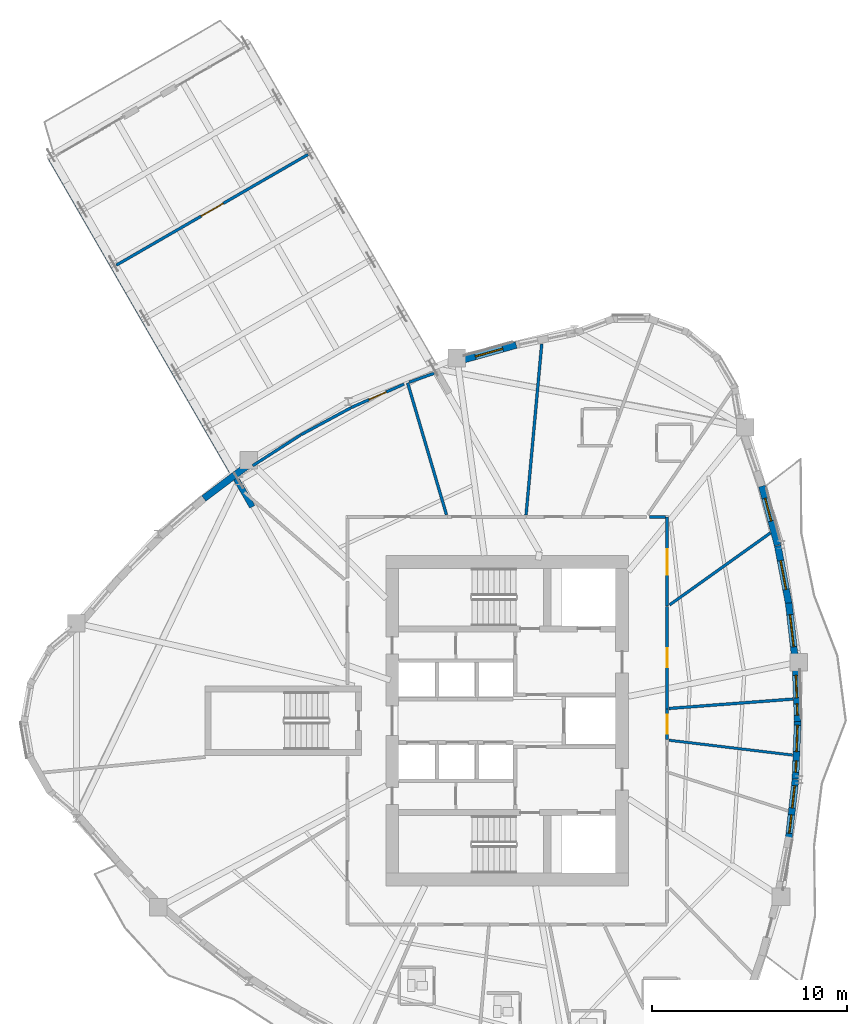
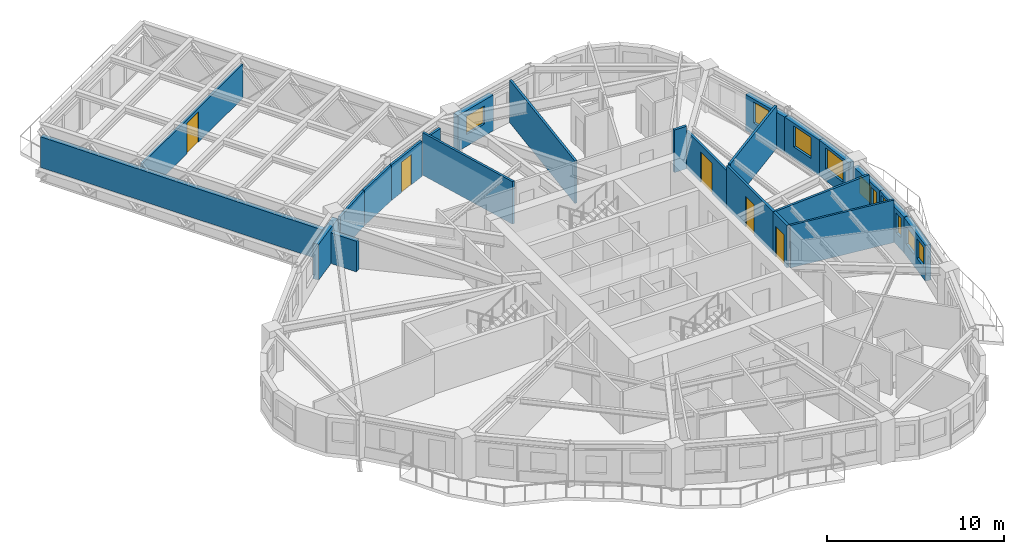
# One storey, part 10 of 16: 23 walls, 10 windows, 5 doors, 15 openings.
"""IFC4 building model written with IfcOpenShell, lengths in metres."""

from ifc_helpers import new_model, si_unit, direction, frame, frame_2d, origin, place, context, subcontext, project, spatial, rectangle, extrude, source, transform, mapped, material, layer, layer_set, type_object, element, fill, save


model = new_model("IFC4")

# Units and contexts
model_context = context("Model", 3, precision=1e-05, world=origin(), true_north=direction((0.0, 1.0)))
body_context = subcontext(model_context, "Body", "Model", "MODEL_VIEW")
ifc_project = project(units=[si_unit("LENGTHUNIT", "METRE"), si_unit("AREAUNIT", "SQUARE_METRE"), si_unit("VOLUMEUNIT", "CUBIC_METRE"), si_unit("PLANEANGLEUNIT", "RADIAN"), si_unit("MASSUNIT", "GRAM", prefix="KILO")], contexts=[model_context])

# Site, building, storey
site_placement = place(None, origin())
site = spatial("IfcSite", under=ifc_project, at=site_placement, CompositionType="ELEMENT")
building_placement = place(site_placement, origin())
building = spatial("IfcBuilding", under=site, at=building_placement, Name="Qafzar Sky-Pleat Residences", CompositionType="ELEMENT")
storey_placement = place(building_placement, frame((0.0, 0.0, 80.0)))
storey = spatial("IfcBuildingStorey", under=building, at=storey_placement, Name="L23", CompositionType="ELEMENT", Elevation=80.0)

# Wall, opening, door
ifc_material_1 = material(Name="Acoustic gypsum plasterboard partition", Category="gypsum")
ifc_layer_1 = layer(ifc_material_1, 0.159912109375)
ifc_layer_set_1 = layer_set([ifc_layer_1], Name="Acoustic gypsum plasterboard partition")
wall_type_1 = type_object("IfcWallType", Name="PART-COR-160", PredefinedType="PARTITIONING", material=ifc_layer_set_1)
wall_1_placement = place(storey_placement, frame((38.530029296875, 31.85595703125, 0.0), z_axis=(0.0, 0.0, 1.0), x_axis=(0.0, -1.0, 0.0)))
wall_1 = element("IfcWall", 1, at=wall_1_placement, inside=storey, type_object=wall_type_1, Name="L23 Partition Wall PART-L23-PW-005", PredefinedType="PARTITIONING", context=body_context, shape_type="SweptSolid", body=[
    extrude(rectangle(XDim=5.2490234375, YDim=0.159912109375, at=frame_2d((2.62451171875, 0.0))), origin(), (0.0, 0.0, 1.0), 2.93505859375),
])
opening_1_placement = place(wall_1_placement, frame((2.14599609375, 0.0, 0.0)))
opening_1 = element("IfcOpeningElement", 2, at=opening_1_placement, cuts=wall_1, Name="Opening ID-06", PredefinedType="OPENING", context=body_context, shape_type="SweptSolid", body=[
    extrude(rectangle(XDim=0.9599609375, YDim=2.10009765625, at=frame_2d((0.47998046875, 1.050048828125))), frame((0.0, 0.08984375, 0.0), z_axis=(0.0, -1.0, 0.0), x_axis=(1.0, 0.0, 0.0)), (0.0, 0.0, 1.0), 0.179931640625),
])
ifc_material_2 = material(Name="Timber-faced fire door", Category="wood")
door_type_1 = type_object("IfcDoorType", Name="DR-STD-960", OperationType="NOTDEFINED", PredefinedType="DOOR", material=ifc_material_2)
shared_shape_1 = source(origin(), body_context, "Body", "SweptSolid", [
    extrude(rectangle(XDim=0.9599609375, YDim=2.10009765625, at=frame_2d((0.47998046875, 1.050048828125))), frame((0.0, 0.02490234375, 0.0), z_axis=(0.0, -1.0, 0.0), x_axis=(1.0, 0.0, 0.0)), (0.0, 0.0, 1.0), 0.050048828125),
])
door_1_placement = place(opening_1_placement, origin())
door_1 = element("IfcDoor", 3, at=door_1_placement, inside=storey, type_object=door_type_1, Name="L23 Graduate Desk Workspace Door", OperationType="SINGLE_SWING_RIGHT", OverallHeight=2.10009765625, OverallWidth=0.9599609375, PredefinedType="DOOR", context=body_context, shape_type="MappedRepresentation", body=[
    mapped(shared_shape_1, transform((0.0, 0.0, 0.0), x_axis=(1.0, 0.0, 0.0), y_axis=(0.0, 1.0, 0.0), z_axis=(0.0, 0.0, 1.0), scale=1.0)),
])
fill(opening_1, door_1)

wall_2_placement = place(storey_placement, frame((38.530029296875, 36.429931640625, 0.0), z_axis=(0.0, 0.0, 1.0), x_axis=(0.0, -1.0, 0.0)))
wall_2 = element("IfcWall", 4, at=wall_2_placement, inside=storey, type_object=wall_type_1, Name="L23 Partition Wall PART-L23-PW-007", PredefinedType="PARTITIONING", context=body_context, shape_type="SweptSolid", body=[
    extrude(rectangle(XDim=4.558837890625, YDim=0.159912109375, at=frame_2d((2.279296875, 0.0))), origin(), (0.0, 0.0, 1.0), 2.572998046875),
])
opening_2_placement = place(wall_2_placement, frame((1.64599609375, 0.0, 0.0)))
opening_2 = element("IfcOpeningElement", 5, at=opening_2_placement, cuts=wall_2, Name="Opening ID-05", PredefinedType="OPENING", context=body_context, shape_type="SweptSolid", body=[
    extrude(rectangle(XDim=1.300048828125, YDim=2.10009765625, at=frame_2d((0.64990234375, 1.050048828125))), frame((0.0, 0.08984375, 0.0), z_axis=(0.0, -1.0, 0.0), x_axis=(1.0, 0.0, 0.0)), (0.0, 0.0, 1.0), 0.179931640625),
])
door_type_2 = type_object("IfcDoorType", Name="DR-LNG-1300", OperationType="DOUBLE_DOOR_SINGLE_SWING", PredefinedType="DOOR", material=ifc_material_2)
shared_shape_2 = source(origin(), body_context, "Body", "SweptSolid", [
    extrude(rectangle(XDim=1.300048828125, YDim=2.10009765625, at=frame_2d((0.64990234375, 1.050048828125))), frame((0.0, 0.02490234375, 0.0), z_axis=(0.0, -1.0, 0.0), x_axis=(1.0, 0.0, 0.0)), (0.0, 0.0, 1.0), 0.050048828125),
])
door_2_placement = place(opening_2_placement, origin())
door_2 = element("IfcDoor", 6, at=door_2_placement, inside=storey, type_object=door_type_2, Name="L23 Communal Kitchen Door", OperationType="DOUBLE_DOOR_SINGLE_SWING", OverallHeight=2.10009765625, OverallWidth=1.300048828125, PredefinedType="DOOR", context=body_context, shape_type="MappedRepresentation", body=[
    mapped(shared_shape_2, transform((0.0, 0.0, 0.0), x_axis=(1.0, 0.0, 0.0), y_axis=(0.0, 1.0, 0.0), z_axis=(0.0, 0.0, 1.0), scale=1.0)),
])
fill(opening_2, door_2)

wall_3_placement = place(storey_placement, frame((38.530029296875, 26.592041015625, 0.0), z_axis=(0.0, 0.0, 1.0), x_axis=(0.0, -1.0, 0.0)))
wall_3 = element("IfcWall", 7, at=wall_3_placement, inside=storey, type_object=wall_type_1, Name="L23 Partition Wall PART-L23-PW-024", PredefinedType="PARTITIONING", context=body_context, shape_type="SweptSolid", body=[
    extrude(rectangle(XDim=1.544921875, YDim=0.159912109375, at=frame_2d((0.7724609375, 0.0))), origin(), (0.0, 0.0, 1.0), 2.93505859375),
])
opening_3_placement = place(wall_3_placement, frame((0.29248046875, 0.0, 0.0)))
opening_3 = element("IfcOpeningElement", 8, at=opening_3_placement, cuts=wall_3, Name="Opening ID-06", PredefinedType="OPENING", context=body_context, shape_type="SweptSolid", body=[
    extrude(rectangle(XDim=0.9599609375, YDim=2.10009765625, at=frame_2d((0.47998046875, 1.050048828125))), frame((0.0, 0.08984375, 0.0), z_axis=(0.0, -1.0, 0.0), x_axis=(1.0, 0.0, 0.0)), (0.0, 0.0, 1.0), 0.179931640625),
])
door_3_placement = place(opening_3_placement, origin())
door_3 = element("IfcDoor", 9, at=door_3_placement, inside=storey, type_object=door_type_1, Name="L23 Scholar Study Room Door", OperationType="SINGLE_SWING_RIGHT", OverallHeight=2.10009765625, OverallWidth=0.9599609375, PredefinedType="DOOR", context=body_context, shape_type="MappedRepresentation", body=[
    mapped(shared_shape_1, transform((0.0, 0.0, 0.0), x_axis=(1.0, 0.0, 0.0), y_axis=(0.0, 1.0, 0.0), z_axis=(0.0, 0.0, 1.0), scale=1.0)),
])
fill(opening_3, door_3)

# Wall
wall_4_placement = place(storey_placement, frame((37.63720703125, 36.429931640625, 0.0), z_axis=(0.0, 0.0, 1.0), x_axis=(1.0, 0.0, 0.0)))
element("IfcWall", 10, at=wall_4_placement, inside=storey, type_object=wall_type_1, Name="L23 Partition Wall PART-L23-PW-068", PredefinedType="PARTITIONING", context=body_context, shape_type="SweptSolid", body=[
    extrude(rectangle(XDim=0.8046875, YDim=0.159912109375, at=frame_2d((0.40234375, 0.0))), origin(), (0.0, 0.0, 1.0), 2.93505859375),
])

# Wall, opening, door
ifc_layer_2 = layer(ifc_material_1, 0.14501953125)
ifc_layer_set_2 = layer_set([ifc_layer_2], Name="Acoustic gypsum plasterboard partition")
wall_type_2 = type_object("IfcWallType", Name="PART-UNIT-145", PredefinedType="PARTITIONING", material=ifc_layer_set_2)
wall_5_placement = place(storey_placement, frame((10.352783203125, 49.31201171875, 0.0), z_axis=(0.0, 0.0, 1.0), x_axis=(0.866036235619, 0.499981238243, 0.0)))
wall_5 = element("IfcWall", 11, at=wall_5_placement, inside=storey, type_object=wall_type_2, Name="L23 Partition Wall PART-L23-PW-001", PredefinedType="PARTITIONING", context=body_context, shape_type="SweptSolid", body=[
    extrude(rectangle(XDim=11.32421875, YDim=0.14501953125, at=frame_2d((5.662109375, 0.0))), origin(), (0.0, 0.0, 1.0), 2.35302734375),
])
opening_4_placement = place(wall_5_placement, frame((5.01220703125, 0.0, 0.0)))
opening_4 = element("IfcOpeningElement", 12, at=opening_4_placement, cuts=wall_5, Name="Opening ID-05", PredefinedType="OPENING", context=body_context, shape_type="SweptSolid", body=[
    extrude(rectangle(XDim=1.300048828125, YDim=2.10009765625, at=frame_2d((0.64990234375, 1.050048828125))), frame((0.0, 0.08251953125, 0.0), z_axis=(0.0, -1.0, 0.0), x_axis=(1.0, 0.0, 0.0)), (0.0, 0.0, 1.0), 0.1650390625),
])
door_4_placement = place(opening_4_placement, origin())
door_4 = element("IfcDoor", 13, at=door_4_placement, inside=storey, type_object=door_type_2, Name="L23 Panorama Sky Lounge Door", OperationType="DOUBLE_DOOR_SINGLE_SWING", OverallHeight=2.10009765625, OverallWidth=1.300048828125, PredefinedType="DOOR", context=body_context, shape_type="MappedRepresentation", body=[
    mapped(shared_shape_2, transform((0.0, 0.0, 0.0), x_axis=(1.0, 0.0, 0.0), y_axis=(0.0, 1.0, 0.0), z_axis=(0.0, 0.0, 1.0), scale=1.0)),
])
fill(opening_4, door_4)

wall_6_placement = place(storey_placement, frame((22.376953125, 42.02587890625, 0.0), z_axis=(0.0, 0.0, 1.0), x_axis=(0.913387960111, 0.407090204162, 0.0)))
wall_6 = element("IfcWall", 14, at=wall_6_placement, inside=storey, type_object=wall_type_2, Name="L23 Partition Wall PART-L23-PW-014", PredefinedType="PARTITIONING", context=body_context, shape_type="SweptSolid", body=[
    extrude(rectangle(XDim=2.95068359375, YDim=0.14501953125, at=frame_2d((1.475341796875, 0.0))), origin(), (0.0, 0.0, 1.0), 2.452880859375),
])
opening_5_placement = place(wall_6_placement, frame((0.9951171875, 0.0, 0.0)))
opening_5 = element("IfcOpeningElement", 15, at=opening_5_placement, cuts=wall_6, Name="Opening ID-06", PredefinedType="OPENING", context=body_context, shape_type="SweptSolid", body=[
    extrude(rectangle(XDim=0.9599609375, YDim=2.10009765625, at=frame_2d((0.47998046875, 1.050048828125))), frame((0.0, 0.08251953125, 0.0), z_axis=(0.0, -1.0, 0.0), x_axis=(1.0, 0.0, 0.0)), (0.0, 0.0, 1.0), 0.1650390625),
])
door_5_placement = place(opening_5_placement, origin())
door_5 = element("IfcDoor", 16, at=door_5_placement, inside=storey, type_object=door_type_1, Name="L23 Sky-Bar Reading Library Door", OperationType="SINGLE_SWING_RIGHT", OverallHeight=2.10009765625, OverallWidth=0.9599609375, PredefinedType="DOOR", context=body_context, shape_type="MappedRepresentation", body=[
    mapped(shared_shape_1, transform((0.0, 0.0, 0.0), x_axis=(1.0, 0.0, 0.0), y_axis=(0.0, 1.0, 0.0), z_axis=(0.0, 0.0, 1.0), scale=1.0)),
])
fill(opening_5, door_5)

# Walls
wall_7_placement = place(storey_placement, frame((31.313720703125, 36.524658203125, 0.0), z_axis=(0.0, 0.0, 1.0), x_axis=(0.091226381691, 0.995830179942, 0.0)))
element("IfcWall", 17, at=wall_7_placement, inside=storey, type_object=wall_type_2, Name="L23 Partition Wall PART-L23-PW-026", PredefinedType="PARTITIONING", context=body_context, shape_type="SweptSolid", body=[
    extrude(rectangle(XDim=8.796630859375, YDim=0.14501953125, at=frame_2d((4.3984375, 0.0))), origin(), (0.0, 0.0, 1.0), 2.93505859375),
])
wall_8_placement = place(storey_placement, frame((25.25390625, 43.2919921875, 0.0), z_axis=(0.0, 0.0, 1.0), x_axis=(0.282661880608, -0.959219610543, 0.0)))
element("IfcWall", 18, at=wall_8_placement, inside=storey, type_object=wall_type_2, Name="L23 Partition Wall PART-L23-PW-030", PredefinedType="PARTITIONING", context=body_context, shape_type="SweptSolid", body=[
    extrude(rectangle(XDim=7.041015625, YDim=0.14501953125, at=frame_2d((3.5205078125, 0.0))), origin(), (0.0, 0.0, 1.0), 2.93505859375),
])
wall_9_placement = place(storey_placement, frame((38.65869140625, 31.9296875, 0.0), z_axis=(0.0, 0.0, 1.0), x_axis=(0.813936175568, 0.580954302938, 0.0)))
element("IfcWall", 19, at=wall_9_placement, inside=storey, type_object=wall_type_2, Name="L23 Partition Wall PART-L23-PW-032", PredefinedType="PARTITIONING", context=body_context, shape_type="SweptSolid", body=[
    extrude(rectangle(XDim=6.345947265625, YDim=0.14501953125, at=frame_2d((3.1728515625, 0.0))), origin(), (0.0, 0.0, 1.0), 2.93505859375),
])
wall_10_placement = place(storey_placement, frame((38.62353515625, 26.629150390625, 0.0), z_axis=(0.0, 0.0, 1.0), x_axis=(0.997137880159, 0.075604549805, 0.0)))
element("IfcWall", 20, at=wall_10_placement, inside=storey, type_object=wall_type_2, Name="L23 Partition Wall PART-L23-PW-035", PredefinedType="PARTITIONING", context=body_context, shape_type="SweptSolid", body=[
    extrude(rectangle(XDim=6.377685546875, YDim=0.14501953125, at=frame_2d((3.18896484375, 0.0))), origin(), (0.0, 0.0, 1.0), 2.93505859375),
])
wall_11_placement = place(storey_placement, frame((17.325927734375, 39.048095703125, 0.0), z_axis=(0.0, 0.0, 1.0), x_axis=(0.841527071554, 0.540214945963, 0.0)))
element("IfcWall", 21, at=wall_11_placement, inside=storey, type_object=wall_type_2, Name="L23 Partition Wall PART-L23-PW-047", PredefinedType="PARTITIONING", context=body_context, shape_type="SweptSolid", body=[
    extrude(rectangle(XDim=2.933837890625, YDim=0.14501953125, at=frame_2d((1.466796875, 0.0))), origin(), (0.0, 0.0, 1.0), 2.452880859375),
])
wall_12_placement = place(storey_placement, frame((19.80810546875, 40.64013671875, 0.0), z_axis=(0.0, 0.0, 1.0), x_axis=(0.880106382364, 0.474776532404, 0.0)))
element("IfcWall", 22, at=wall_12_placement, inside=storey, type_object=wall_type_2, Name="L23 Partition Wall PART-L23-PW-048", PredefinedType="PARTITIONING", context=body_context, shape_type="SweptSolid", body=[
    extrude(rectangle(XDim=2.90380859375, YDim=0.14501953125, at=frame_2d((1.451904296875, 0.0))), origin(), (0.0, 0.0, 1.0), 2.452880859375),
])
wall_13_placement = place(storey_placement, frame((25.333984375, 43.32080078125, 0.0), z_axis=(0.0, 0.0, 1.0), x_axis=(0.940956330278, 0.3385279671, 0.0)))
element("IfcWall", 23, at=wall_13_placement, inside=storey, type_object=wall_type_2, Name="L23 Partition Wall PART-L23-PW-064", PredefinedType="PARTITIONING", context=body_context, shape_type="SweptSolid", body=[
    extrude(rectangle(XDim=1.3544921875, YDim=0.14501953125, at=frame_2d((0.67724609375, 0.0))), origin(), (0.0, 0.0, 1.0), 2.452880859375),
])
ifc_material_3 = material(Name="Moisture-resistant gypsum partition", Category="gypsum")
ifc_layer_3 = layer(ifc_material_3, 0.1298828125)
ifc_layer_set_3 = layer_set([ifc_layer_3], Name="Moisture-resistant gypsum partition")
wall_type_3 = type_object("IfcWallType", Name="PART-WET-130", PredefinedType="PARTITIONING", material=ifc_layer_set_3)
wall_14_placement = place(storey_placement, frame((38.625732421875, 25.005615234375, 0.0), z_axis=(0.0, 0.0, 1.0), x_axis=(0.992837647249, -0.11947136144, 0.0)))
element("IfcWall", 24, at=wall_14_placement, inside=storey, type_object=wall_type_3, Name="L23 Partition Wall PART-L23-PW-034", PredefinedType="PARTITIONING", context=body_context, shape_type="SweptSolid", body=[
    extrude(rectangle(XDim=6.375732421875, YDim=0.1298828125, at=frame_2d((3.18798828125, 0.0))), origin(), (0.0, 0.0, 1.0), 2.93505859375),
])
ifc_material_4 = material(Name="Precast concrete C40/50 with honed Riyadh limestone", Category="concrete")
ifc_layer_4 = layer(ifc_material_4, 0.300048828125)
ifc_layer_set_4 = layer_set([ifc_layer_4], Name="Precast concrete C40/50 with honed Riyadh limestone")
wall_type_4 = type_object("IfcWallType", Name="WALL-EXT-300", PredefinedType="SOLIDWALL", material=ifc_layer_set_4)
wall_15_placement = place(storey_placement, frame((17.309814453125, 36.9462890625, 0.0), z_axis=(0.0, 0.0, 1.0), x_axis=(-0.499999403898, 0.866025747944, 0.0)))
element("IfcWall", 25, at=wall_15_placement, inside=storey, type_object=wall_type_4, Name="L23 SB-2 Side Spandrel Wall L", PredefinedType="SOLIDWALL", context=body_context, shape_type="SweptSolid", body=[
    extrude(rectangle(XDim=20.60302734375, YDim=0.300048828125, at=frame_2d((10.301513671875, 0.0))), origin(), (0.0, 0.0, 1.0), 2.114990234375),
])

# Wall, openings, windows
ifc_layer_5 = layer(ifc_material_4, 0.35009765625)
ifc_layer_set_5 = layer_set([ifc_layer_5], Name="Precast concrete C40/50 with honed Riyadh limestone")
wall_type_5 = type_object("IfcWallType", Name="WALL-EXT-350", PredefinedType="SOLIDWALL", material=ifc_layer_set_5)
wall_16_placement = place(storey_placement, frame((44.751220703125, 19.974609375, 0.0), z_axis=(0.0, 0.0, 1.0), x_axis=(0.113356399423, 0.993554390413, 0.0)))
wall_16 = element("IfcWall", 26, at=wall_16_placement, inside=storey, type_object=wall_type_5, Name="L23 Limestone Facade Wall 26", PredefinedType="SOLIDWALL", context=body_context, shape_type="SweptSolid", body=[
    extrude(rectangle(XDim=3.041015625, YDim=0.35009765625, at=frame_2d((1.5205078125, 0.0))), origin(), (0.0, 0.0, 1.0), 2.465087890625),
])
opening_6_placement = place(wall_16_placement, frame((0.264404296875, 0.0, 0.820068359375)))
opening_6 = element("IfcOpeningElement", 27, at=opening_6_placement, cuts=wall_16, Name="Opening WN-12", PredefinedType="OPENING", context=body_context, shape_type="SweptSolid", body=[
    extrude(rectangle(XDim=0.949951171875, YDim=1.35009765625, at=frame_2d((0.47509765625, 0.675048828125))), frame((0.0, 0.18505859375, 0.0), z_axis=(0.0, -1.0, 0.0), x_axis=(1.0, 0.0, 0.0)), (0.0, 0.0, 1.0), 0.3701171875),
])
opening_7_placement = place(wall_16_placement, frame((1.574951171875, 0.0, 0.820068359375)))
opening_7 = element("IfcOpeningElement", 28, at=opening_7_placement, cuts=wall_16, Name="Opening WN-16", PredefinedType="OPENING", context=body_context, shape_type="SweptSolid", body=[
    extrude(rectangle(XDim=1.14990234375, YDim=1.199951171875, at=frame_2d((0.574951171875, 0.60009765625))), frame((0.0, 0.18505859375, 0.0), z_axis=(0.0, -1.0, 0.0), x_axis=(1.0, 0.0, 0.0)), (0.0, 0.0, 1.0), 0.3701171875),
])
ifc_material_5 = material(Name="Solar-control low-E glass in bronze aluminium frame", Category="glass")
window_type_1 = type_object("IfcWindowType", Name="WIN-12", PartitioningType="SINGLE_PANEL", PredefinedType="WINDOW", material=ifc_material_5)
shared_shape_3 = source(origin(), body_context, "Body", "SweptSolid", [
    extrude(rectangle(XDim=0.949951171875, YDim=1.35009765625, at=frame_2d((0.47509765625, 0.675048828125))), frame((0.0, 0.030029296875, 0.0), z_axis=(0.0, -1.0, 0.0), x_axis=(1.0, 0.0, 0.0)), (0.0, 0.0, 1.0), 0.06005859375),
])
window_1_placement = place(opening_6_placement, origin())
window_1 = element("IfcWindow", 29, at=window_1_placement, inside=storey, type_object=window_type_1, Name="L23 Punched Facade Window 26", OverallHeight=1.35009765625, OverallWidth=0.949951171875, PartitioningType="SINGLE_PANEL", PredefinedType="WINDOW", context=body_context, shape_type="MappedRepresentation", body=[
    mapped(shared_shape_3, transform((0.0, 0.0, 0.0), x_axis=(1.0, 0.0, 0.0), y_axis=(0.0, 1.0, 0.0), z_axis=(0.0, 0.0, 1.0), scale=1.0)),
])
fill(opening_6, window_1)
window_type_2 = type_object("IfcWindowType", Name="WIN-16", PartitioningType="SINGLE_PANEL", PredefinedType="WINDOW", material=ifc_material_5)
shared_shape_4 = source(origin(), body_context, "Body", "SweptSolid", [
    extrude(rectangle(XDim=1.14990234375, YDim=1.199951171875, at=frame_2d((0.574951171875, 0.60009765625))), frame((0.0, 0.030029296875, 0.0), z_axis=(0.0, -1.0, 0.0), x_axis=(1.0, 0.0, 0.0)), (0.0, 0.0, 1.0), 0.06005859375),
])
window_2_placement = place(opening_7_placement, origin())
window_2 = element("IfcWindow", 30, at=window_2_placement, inside=storey, type_object=window_type_2, Name="L23 Punched Facade Window 26-2", OverallHeight=1.199951171875, OverallWidth=1.14990234375, PartitioningType="SINGLE_PANEL", PredefinedType="WINDOW", context=body_context, shape_type="MappedRepresentation", body=[
    mapped(shared_shape_4, transform((0.0, 0.0, 0.0), x_axis=(1.0, 0.0, 0.0), y_axis=(0.0, 1.0, 0.0), z_axis=(0.0, 0.0, 1.0), scale=1.0)),
])
fill(opening_7, window_2)

wall_17_placement = place(storey_placement, frame((45.097900390625, 23.022705078125, 0.0), z_axis=(0.0, 0.0, 1.0), x_axis=(0.037943250197, 0.999279895607, 0.0)))
wall_17 = element("IfcWall", 31, at=wall_17_placement, inside=storey, type_object=wall_type_5, Name="L23 Limestone Facade Wall 27", PredefinedType="SOLIDWALL", context=body_context, shape_type="SweptSolid", body=[
    extrude(rectangle(XDim=3.024169921875, YDim=0.35009765625, at=frame_2d((1.51220703125, 0.0))), origin(), (0.0, 0.0, 1.0), 2.465087890625),
])
opening_8_placement = place(wall_17_placement, frame((0.346435546875, 0.0, 0.820068359375)))
opening_8 = element("IfcOpeningElement", 32, at=opening_8_placement, cuts=wall_17, Name="Opening WN-17", PredefinedType="OPENING", context=body_context, shape_type="SweptSolid", body=[
    extrude(rectangle(XDim=0.580078125, YDim=1.35009765625, at=frame_2d((0.2900390625, 0.675048828125))), frame((0.0, 0.18505859375, 0.0), z_axis=(0.0, -1.0, 0.0), x_axis=(1.0, 0.0, 0.0)), (0.0, 0.0, 1.0), 0.3701171875),
])
opening_9_placement = place(wall_17_placement, frame((1.403564453125, 0.0, 0.820068359375)))
opening_9 = element("IfcOpeningElement", 33, at=opening_9_placement, cuts=wall_17, Name="Opening WN-04", PredefinedType="OPENING", context=body_context, shape_type="SweptSolid", body=[
    extrude(rectangle(XDim=1.35009765625, YDim=1.449951171875, at=frame_2d((0.675048828125, 0.72509765625))), frame((0.0, 0.18505859375, 0.0), z_axis=(0.0, -1.0, 0.0), x_axis=(1.0, 0.0, 0.0)), (0.0, 0.0, 1.0), 0.3701171875),
])
window_type_3 = type_object("IfcWindowType", Name="WIN-17", PartitioningType="SINGLE_PANEL", PredefinedType="WINDOW", material=ifc_material_5)
shared_shape_5 = source(origin(), body_context, "Body", "SweptSolid", [
    extrude(rectangle(XDim=0.580078125, YDim=1.35009765625, at=frame_2d((0.2900390625, 0.675048828125))), frame((0.0, 0.030029296875, 0.0), z_axis=(0.0, -1.0, 0.0), x_axis=(1.0, 0.0, 0.0)), (0.0, 0.0, 1.0), 0.06005859375),
])
window_3_placement = place(opening_8_placement, origin())
window_3 = element("IfcWindow", 34, at=window_3_placement, inside=storey, type_object=window_type_3, Name="L23 Punched Facade Window 27", OverallHeight=1.35009765625, OverallWidth=0.580078125, PartitioningType="SINGLE_PANEL", PredefinedType="WINDOW", context=body_context, shape_type="MappedRepresentation", body=[
    mapped(shared_shape_5, transform((0.0, 0.0, 0.0), x_axis=(1.0, 0.0, 0.0), y_axis=(0.0, 1.0, 0.0), z_axis=(0.0, 0.0, 1.0), scale=1.0)),
])
fill(opening_8, window_3)
window_type_4 = type_object("IfcWindowType", Name="WIN-04", PartitioningType="SINGLE_PANEL", PredefinedType="WINDOW", material=ifc_material_5)
shared_shape_6 = source(origin(), body_context, "Body", "SweptSolid", [
    extrude(rectangle(XDim=1.35009765625, YDim=1.449951171875, at=frame_2d((0.675048828125, 0.72509765625))), frame((0.0, 0.030029296875, 0.0), z_axis=(0.0, -1.0, 0.0), x_axis=(1.0, 0.0, 0.0)), (0.0, 0.0, 1.0), 0.06005859375),
])
window_4_placement = place(opening_9_placement, origin())
window_4 = element("IfcWindow", 35, at=window_4_placement, inside=storey, type_object=window_type_4, Name="L23 Punched Facade Window 27-2", OverallHeight=1.449951171875, OverallWidth=1.35009765625, PartitioningType="SINGLE_PANEL", PredefinedType="WINDOW", context=body_context, shape_type="MappedRepresentation", body=[
    mapped(shared_shape_6, transform((0.0, 0.0, 0.0), x_axis=(1.0, 0.0, 0.0), y_axis=(0.0, 1.0, 0.0), z_axis=(0.0, 0.0, 1.0), scale=1.0)),
])
fill(opening_9, window_4)

wall_18_placement = place(storey_placement, frame((45.212646484375, 25.955322265625, 0.0), z_axis=(0.0, 0.0, 1.0), x_axis=(-0.037934195255, 0.999280239388, 0.0)))
wall_18 = element("IfcWall", 36, at=wall_18_placement, inside=storey, type_object=wall_type_5, Name="L23 Limestone Facade Wall 28", PredefinedType="SOLIDWALL", context=body_context, shape_type="SweptSolid", body=[
    extrude(rectangle(XDim=2.81884765625, YDim=0.35009765625, at=frame_2d((1.409423828125, 0.0))), origin(), (0.0, 0.0, 1.0), 2.465087890625),
])
opening_10_placement = place(wall_18_placement, frame((0.332275390625, 0.0, 0.820068359375)))
opening_10 = element("IfcOpeningElement", 37, at=opening_10_placement, cuts=wall_18, Name="Opening WN-17", PredefinedType="OPENING", context=body_context, shape_type="SweptSolid", body=[
    extrude(rectangle(XDim=0.580078125, YDim=1.35009765625, at=frame_2d((0.2900390625, 0.675048828125))), frame((0.0, 0.18505859375, 0.0), z_axis=(0.0, -1.0, 0.0), x_axis=(1.0, 0.0, 0.0)), (0.0, 0.0, 1.0), 0.3701171875),
])
opening_11_placement = place(wall_18_placement, frame((1.221923828125, 0.0, 0.820068359375)))
opening_11 = element("IfcOpeningElement", 38, at=opening_11_placement, cuts=wall_18, Name="Opening WN-16", PredefinedType="OPENING", context=body_context, shape_type="SweptSolid", body=[
    extrude(rectangle(XDim=1.14990234375, YDim=1.199951171875, at=frame_2d((0.574951171875, 0.60009765625))), frame((0.0, 0.18505859375, 0.0), z_axis=(0.0, -1.0, 0.0), x_axis=(1.0, 0.0, 0.0)), (0.0, 0.0, 1.0), 0.3701171875),
])
window_5_placement = place(opening_10_placement, origin())
window_5 = element("IfcWindow", 39, at=window_5_placement, inside=storey, type_object=window_type_3, Name="L23 Punched Facade Window 28", OverallHeight=1.35009765625, OverallWidth=0.580078125, PartitioningType="SINGLE_PANEL", PredefinedType="WINDOW", context=body_context, shape_type="MappedRepresentation", body=[
    mapped(shared_shape_5, transform((0.0, 0.0, 0.0), x_axis=(1.0, 0.0, 0.0), y_axis=(0.0, 1.0, 0.0), z_axis=(0.0, 0.0, 1.0), scale=1.0)),
])
fill(opening_10, window_5)
window_6_placement = place(opening_11_placement, origin())
window_6 = element("IfcWindow", 40, at=window_6_placement, inside=storey, type_object=window_type_2, Name="L23 Punched Facade Window 28-2", OverallHeight=1.199951171875, OverallWidth=1.14990234375, PartitioningType="SINGLE_PANEL", PredefinedType="WINDOW", context=body_context, shape_type="MappedRepresentation", body=[
    mapped(shared_shape_4, transform((0.0, 0.0, 0.0), x_axis=(1.0, 0.0, 0.0), y_axis=(0.0, 1.0, 0.0), z_axis=(0.0, 0.0, 1.0), scale=1.0)),
])
fill(opening_11, window_6)

# Wall, opening, window
wall_19_placement = place(storey_placement, frame((45.072509765625, 29.20751953125, 0.0), z_axis=(0.0, 0.0, 1.0), x_axis=(-0.113284386302, 0.993562603876, 0.0)))
wall_19 = element("IfcWall", 41, at=wall_19_placement, inside=storey, type_object=wall_type_5, Name="L23 Limestone Facade Wall 29", PredefinedType="SOLIDWALL", context=body_context, shape_type="SweptSolid", body=[
    extrude(rectangle(XDim=2.836181640625, YDim=0.35009765625, at=frame_2d((1.41796875, 0.0))), origin(), (0.0, 0.0, 1.0), 2.465087890625),
])
opening_12_placement = place(wall_19_placement, frame((0.588134765625, 0.0, 0.820068359375)))
opening_12 = element("IfcOpeningElement", 42, at=opening_12_placement, cuts=wall_19, Name="Opening WN-02", PredefinedType="OPENING", context=body_context, shape_type="SweptSolid", body=[
    extrude(rectangle(XDim=1.64990234375, YDim=1.449951171875, at=frame_2d((0.824951171875, 0.72509765625))), frame((0.0, 0.18505859375, 0.0), z_axis=(0.0, -1.0, 0.0), x_axis=(1.0, 0.0, 0.0)), (0.0, 0.0, 1.0), 0.3701171875),
])
window_type_5 = type_object("IfcWindowType", Name="WIN-02", PartitioningType="DOUBLE_PANEL_VERTICAL", PredefinedType="WINDOW", material=ifc_material_5)
shared_shape_7 = source(origin(), body_context, "Body", "SweptSolid", [
    extrude(rectangle(XDim=1.64990234375, YDim=1.449951171875, at=frame_2d((0.824951171875, 0.72509765625))), frame((0.0, 0.030029296875, 0.0), z_axis=(0.0, -1.0, 0.0), x_axis=(1.0, 0.0, 0.0)), (0.0, 0.0, 1.0), 0.06005859375),
])
window_7_placement = place(opening_12_placement, origin())
window_7 = element("IfcWindow", 43, at=window_7_placement, inside=storey, type_object=window_type_5, Name="L23 Punched Facade Window 29", OverallHeight=1.449951171875, OverallWidth=1.64990234375, PartitioningType="SINGLE_PANEL", PredefinedType="WINDOW", context=body_context, shape_type="MappedRepresentation", body=[
    mapped(shared_shape_7, transform((0.0, 0.0, 0.0), x_axis=(1.0, 0.0, 0.0), y_axis=(0.0, 1.0, 0.0), z_axis=(0.0, 0.0, 1.0), scale=1.0)),
])
fill(opening_12, window_7)

wall_20_placement = place(storey_placement, frame((44.7646484375, 31.9375, 0.0), z_axis=(0.0, 0.0, 1.0), x_axis=(-0.186626934631, 0.982430856229, 0.0)))
wall_20 = element("IfcWall", 44, at=wall_20_placement, inside=storey, type_object=wall_type_5, Name="L23 Limestone Facade Wall 30", PredefinedType="SOLIDWALL", context=body_context, shape_type="SweptSolid", body=[
    extrude(rectangle(XDim=3.075439453125, YDim=0.35009765625, at=frame_2d((1.53759765625, 0.0))), origin(), (0.0, 0.0, 1.0), 2.465087890625),
])
opening_13_placement = place(wall_20_placement, frame((0.7978515625, 0.0, 0.820068359375)))
opening_13 = element("IfcOpeningElement", 45, at=opening_13_placement, cuts=wall_20, Name="Opening WN-03", PredefinedType="OPENING", context=body_context, shape_type="SweptSolid", body=[
    extrude(rectangle(XDim=1.5, YDim=1.449951171875, at=frame_2d((0.75, 0.72509765625))), frame((0.0, 0.18505859375, 0.0), z_axis=(0.0, -1.0, 0.0), x_axis=(1.0, 0.0, 0.0)), (0.0, 0.0, 1.0), 0.3701171875),
])
window_type_6 = type_object("IfcWindowType", Name="WIN-03", PartitioningType="DOUBLE_PANEL_VERTICAL", PredefinedType="WINDOW", material=ifc_material_5)
shared_shape_8 = source(origin(), body_context, "Body", "SweptSolid", [
    extrude(rectangle(XDim=1.5, YDim=1.449951171875, at=frame_2d((0.75, 0.72509765625))), frame((0.0, 0.030029296875, 0.0), z_axis=(0.0, -1.0, 0.0), x_axis=(1.0, 0.0, 0.0)), (0.0, 0.0, 1.0), 0.06005859375),
])
window_8_placement = place(opening_13_placement, origin())
window_8 = element("IfcWindow", 46, at=window_8_placement, inside=storey, type_object=window_type_6, Name="L23 Punched Facade Window 30", OverallHeight=1.449951171875, OverallWidth=1.5, PartitioningType="SINGLE_PANEL", PredefinedType="WINDOW", context=body_context, shape_type="MappedRepresentation", body=[
    mapped(shared_shape_8, transform((0.0, 0.0, 0.0), x_axis=(1.0, 0.0, 0.0), y_axis=(0.0, 1.0, 0.0), z_axis=(0.0, 0.0, 1.0), scale=1.0)),
])
fill(opening_13, window_8)

wall_21_placement = place(storey_placement, frame((44.1845703125, 34.985595703125, 0.0), z_axis=(0.0, 0.0, 1.0), x_axis=(-0.257079342779, 0.966390299784, 0.0)))
wall_21 = element("IfcWall", 47, at=wall_21_placement, inside=storey, type_object=wall_type_5, Name="L23 Limestone Facade Wall 31", PredefinedType="SOLIDWALL", context=body_context, shape_type="SweptSolid", body=[
    extrude(rectangle(XDim=3.126220703125, YDim=0.35009765625, at=frame_2d((1.56298828125, 0.0))), origin(), (0.0, 0.0, 1.0), 2.465087890625),
])
opening_14_placement = place(wall_21_placement, frame((1.2783203125, 0.0, 0.820068359375)))
opening_14 = element("IfcOpeningElement", 48, at=opening_14_placement, cuts=wall_21, Name="Opening WN-05", PredefinedType="OPENING", context=body_context, shape_type="SweptSolid", body=[
    extrude(rectangle(XDim=1.199951171875, YDim=1.449951171875, at=frame_2d((0.60009765625, 0.72509765625))), frame((0.0, 0.18505859375, 0.0), z_axis=(0.0, -1.0, 0.0), x_axis=(1.0, 0.0, 0.0)), (0.0, 0.0, 1.0), 0.3701171875),
])
window_type_7 = type_object("IfcWindowType", Name="WIN-05", PartitioningType="SINGLE_PANEL", PredefinedType="WINDOW", material=ifc_material_5)
shared_shape_9 = source(origin(), body_context, "Body", "SweptSolid", [
    extrude(rectangle(XDim=1.199951171875, YDim=1.449951171875, at=frame_2d((0.60009765625, 0.72509765625))), frame((0.0, 0.030029296875, 0.0), z_axis=(0.0, -1.0, 0.0), x_axis=(1.0, 0.0, 0.0)), (0.0, 0.0, 1.0), 0.06005859375),
])
window_9_placement = place(opening_14_placement, origin())
window_9 = element("IfcWindow", 49, at=window_9_placement, inside=storey, type_object=window_type_7, Name="L23 Punched Facade Window 31-2", OverallHeight=1.449951171875, OverallWidth=1.199951171875, PartitioningType="SINGLE_PANEL", PredefinedType="WINDOW", context=body_context, shape_type="MappedRepresentation", body=[
    mapped(shared_shape_9, transform((0.0, 0.0, 0.0), x_axis=(1.0, 0.0, 0.0), y_axis=(0.0, 1.0, 0.0), z_axis=(0.0, 0.0, 1.0), scale=1.0)),
])
fill(opening_14, window_9)

wall_22_placement = place(storey_placement, frame((30.809326171875, 45.2265625, 0.0), z_axis=(0.0, 0.0, 1.0), x_axis=(-0.963041637143, -0.269352566591, 0.0)))
wall_22 = element("IfcWall", 50, at=wall_22_placement, inside=storey, type_object=wall_type_5, Name="L23 Limestone Facade Wall 40", PredefinedType="SOLIDWALL", context=body_context, shape_type="SweptSolid", body=[
    extrude(rectangle(XDim=2.873291015625, YDim=0.35009765625, at=frame_2d((1.4365234375, 0.0))), origin(), (0.0, 0.0, 1.0), 2.465087890625),
])
opening_15_placement = place(wall_22_placement, frame((0.716552734375, 0.0, 0.820068359375)))
opening_15 = element("IfcOpeningElement", 51, at=opening_15_placement, cuts=wall_22, Name="Opening WN-15", PredefinedType="OPENING", context=body_context, shape_type="SweptSolid", body=[
    extrude(rectangle(XDim=1.449951171875, YDim=1.25, at=frame_2d((0.72509765625, 0.625))), frame((0.0, 0.18505859375, 0.0), z_axis=(0.0, -1.0, 0.0), x_axis=(1.0, 0.0, 0.0)), (0.0, 0.0, 1.0), 0.3701171875),
])
window_type_8 = type_object("IfcWindowType", Name="WIN-15", PartitioningType="SINGLE_PANEL", PredefinedType="WINDOW", material=ifc_material_5)
shared_shape_10 = source(origin(), body_context, "Body", "SweptSolid", [
    extrude(rectangle(XDim=1.449951171875, YDim=1.25, at=frame_2d((0.72509765625, 0.625))), frame((0.0, 0.030029296875, 0.0), z_axis=(0.0, -1.0, 0.0), x_axis=(1.0, 0.0, 0.0)), (0.0, 0.0, 1.0), 0.06005859375),
])
window_10_placement = place(opening_15_placement, origin())
window_10 = element("IfcWindow", 52, at=window_10_placement, inside=storey, type_object=window_type_8, Name="L23 Punched Facade Window 40", OverallHeight=1.25, OverallWidth=1.449951171875, PartitioningType="SINGLE_PANEL", PredefinedType="WINDOW", context=body_context, shape_type="MappedRepresentation", body=[
    mapped(shared_shape_10, transform((0.0, 0.0, 0.0), x_axis=(1.0, 0.0, 0.0), y_axis=(0.0, 1.0, 0.0), z_axis=(0.0, 0.0, 1.0), scale=1.0)),
])
fill(opening_15, window_10)

# Wall
wall_23_placement = place(storey_placement, frame((17.056884765625, 39.05224609375, 0.0), z_axis=(0.0, 0.0, 1.0), x_axis=(-0.798379678642, -0.602154372841, 0.0)))
element("IfcWall", 53, at=wall_23_placement, inside=storey, type_object=wall_type_5, Name="L23 Limestone Facade Wall 45", PredefinedType="SOLIDWALL", context=body_context, shape_type="SweptSolid", body=[
    extrude(rectangle(XDim=2.78955078125, YDim=0.35009765625, at=frame_2d((1.394775390625, 0.0))), origin(), (0.0, 0.0, 1.0), 2.465087890625),
])

save(model, "model.ifc")
